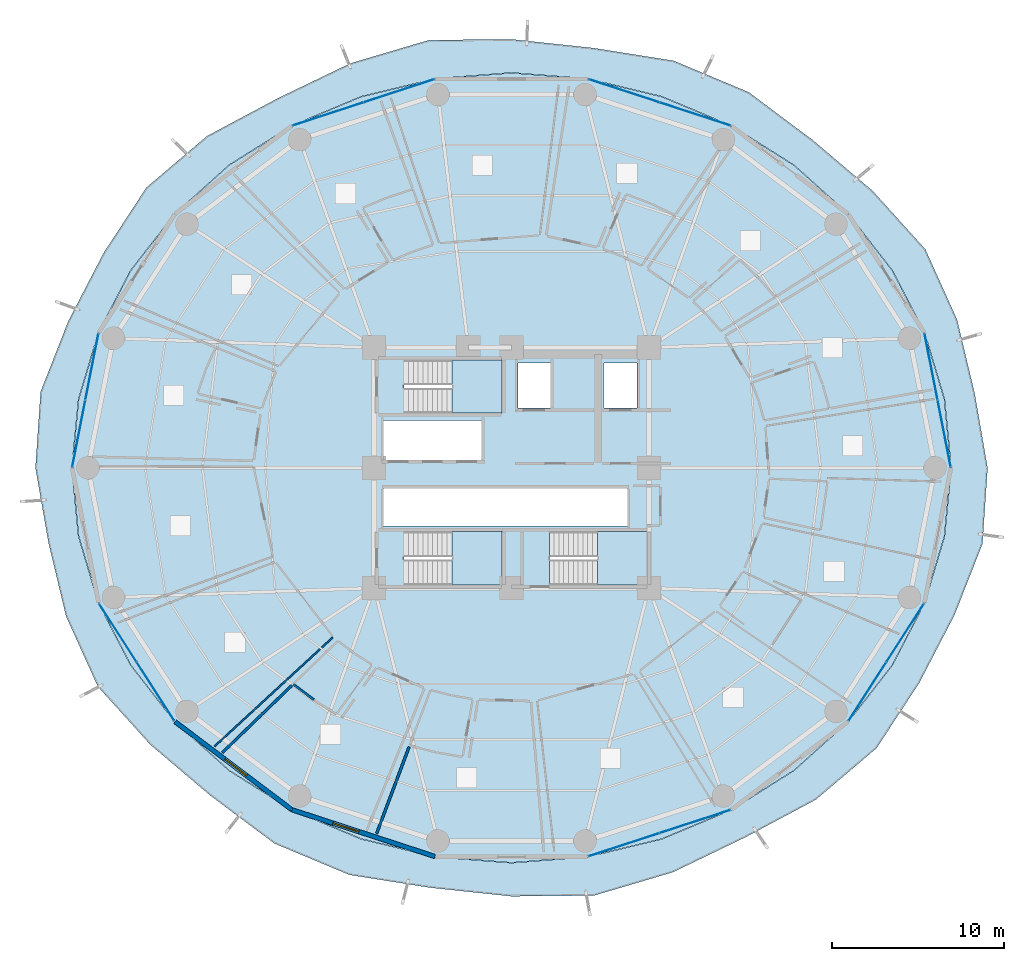
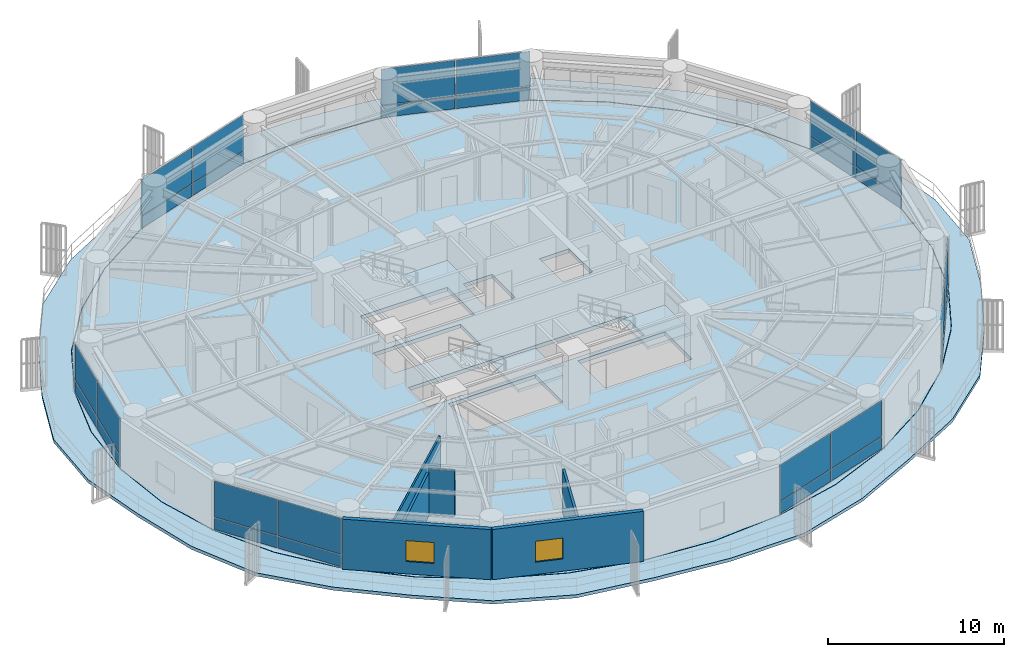
# One storey, part 25 of 34: 28 plates, 6 walls, 5 slabs, 2 windows, 2 openings, 10 elements without a shape of their own.
"""IFC4 building model written with IfcOpenShell, lengths in metres."""

from ifc_helpers import new_model, si_unit, direction, frame, frame_2d, origin, origin_2d, place, context, subcontext, project, spatial, polyline, rectangle, outline, extrude, source, transform, mapped, material, layer, layer_set, type_object, element, fill, aggregate, save


model = new_model("IFC4")

# Units and contexts
model_context = context("Model", 3, precision=1e-05, world=origin(), true_north=direction((0.0, 1.0)))
body_context = subcontext(model_context, "Body", "Model", "MODEL_VIEW")
ifc_project = project(units=[si_unit("LENGTHUNIT", "METRE"), si_unit("AREAUNIT", "SQUARE_METRE"), si_unit("VOLUMEUNIT", "CUBIC_METRE"), si_unit("PLANEANGLEUNIT", "RADIAN"), si_unit("MASSUNIT", "GRAM", prefix="KILO")], contexts=[model_context])

# Site, building, storey
site_placement = place(None, origin())
site = spatial("IfcSite", under=ifc_project, at=site_placement, CompositionType="ELEMENT")
building_placement = place(site_placement, origin())
building = spatial("IfcBuilding", under=site, at=building_placement, Name="Kelanora Arch Commons", CompositionType="ELEMENT")
storey_placement = place(building_placement, frame((0.0, 0.0, 76.35009765625)))
storey = spatial("IfcBuildingStorey", under=building, at=storey_placement, Name="L19", CompositionType="ELEMENT", Elevation=76.35009765625)

# Stair, slab
ifc_material_1 = material(Name="Concrete C40/50", Category="concrete")
stair_type = type_object("IfcStairType", Name="STR-DL-375", PredefinedType="HALF_TURN_STAIR", material=ifc_material_1)
stair_1_placement = place(storey_placement, origin())
stair_1 = element("IfcStair", 1, at=stair_1_placement, inside=storey, type_object=stair_type, Name="L19 ST-T1", PredefinedType="HALF_TURN_STAIR")
ifc_layer_1 = layer(ifc_material_1, 0.199951171875)
ifc_layer_set_1 = layer_set([ifc_layer_1], Name="Concrete C40/50")
slab_type_1 = type_object("IfcSlabType", Name="SLB-STAIR-LND", PredefinedType="LANDING", material=ifc_layer_set_1)
slab_1_placement = place(storey_placement, frame((0.0, 0.0, 1.6748046875)))
slab_1 = element("IfcSlab", 2, at=slab_1_placement, type_object=slab_type_1, Name="ST-T1 landing 1", PredefinedType="LANDING", context=body_context, shape_type="SweptSolid", body=[
    extrude(outline(polyline([(70.52001953125, 61.179931640625), (73.43994140625, 61.179931640625), (73.43994140625, 64.2900390625), (70.52001953125, 64.2900390625), (70.52001953125, 61.179931640625)])), origin(), (0.0, 0.0, 1.0), 0.2001953125),
])
aggregate(stair_1, [slab_1])

stair_2_placement = place(storey_placement, origin())
stair_2 = element("IfcStair", 3, at=stair_2_placement, inside=storey, type_object=stair_type, Name="L19 ST-T2", PredefinedType="HALF_TURN_STAIR")
slab_2_placement = place(storey_placement, frame((0.0, 0.0, 1.6748046875)))
slab_2 = element("IfcSlab", 4, at=slab_2_placement, type_object=slab_type_1, Name="ST-T2 landing 1", PredefinedType="LANDING", context=body_context, shape_type="SweptSolid", body=[
    extrude(outline(polyline([(79.0, 51.179931640625), (81.919921875, 51.179931640625), (81.919921875, 54.2900390625), (79.0, 54.2900390625), (79.0, 51.179931640625)])), origin(), (0.0, 0.0, 1.0), 0.2001953125),
])
aggregate(stair_2, [slab_2])

stair_3_placement = place(storey_placement, origin())
stair_3 = element("IfcStair", 5, at=stair_3_placement, inside=storey, type_object=stair_type, Name="L19 ST-T3", PredefinedType="HALF_TURN_STAIR")
slab_3_placement = place(storey_placement, frame((0.0, 0.0, 1.6748046875)))
slab_3 = element("IfcSlab", 6, at=slab_3_placement, type_object=slab_type_1, Name="ST-T3 landing 1", PredefinedType="LANDING", context=body_context, shape_type="SweptSolid", body=[
    extrude(outline(polyline([(70.52001953125, 51.179931640625), (73.43994140625, 51.179931640625), (73.43994140625, 54.2900390625), (70.52001953125, 54.2900390625), (70.52001953125, 51.179931640625)])), origin(), (0.0, 0.0, 1.0), 0.2001953125),
])
aggregate(stair_3, [slab_3])

# Slabs
ifc_layer_2 = layer(ifc_material_1, 0.260009765625)
ifc_layer_set_2 = layer_set([ifc_layer_2], Name="Concrete C40/50")
slab_type_2 = type_object("IfcSlabType", Name="SLB-TWR-TYP", PredefinedType="FLOOR", material=ifc_layer_set_2)
slab_4_placement = place(storey_placement, frame((0.0, 0.0, -0.260009765625)))
element("IfcSlab", 7, at=slab_4_placement, inside=storey, type_object=slab_type_2, Name="Tower Floor Slab L19", PredefinedType="FLOOR", context=body_context, shape_type="SweptSolid", body=[
    extrude(outline(polyline([(99.60009765625, 58.0), (99.211181640625, 61.993896484375), (98.05615234375, 65.866455078125), (96.17041015625, 69.5), (93.610595703125, 72.7841796875), (90.455322265625, 75.618896484375), (86.800048828125, 77.918701171875), (82.755615234375, 79.61279296875), (78.4453125, 80.650634765625), (74.0, 81.0), (69.5546875, 80.650634765625), (65.244384765625, 79.61279296875), (61.199951171875, 77.918701171875), (57.544677734375, 75.618896484375), (54.389404296875, 72.7841796875), (51.82958984375, 69.5), (49.94384765625, 65.866455078125), (48.788818359375, 61.993896484375), (48.39990234375, 58.0), (48.788818359375, 54.006103515625), (49.94384765625, 50.133544921875), (51.82958984375, 46.5), (54.389404296875, 43.2158203125), (57.544677734375, 40.381103515625), (61.199951171875, 38.081298828125), (65.244384765625, 36.38720703125), (69.5546875, 35.349365234375), (74.0, 35.0), (78.4453125, 35.349365234375), (82.755615234375, 36.38720703125), (86.800048828125, 38.081298828125), (90.455322265625, 40.381103515625), (93.610595703125, 43.2158203125), (96.17041015625, 46.5), (98.05615234375, 50.133544921875), (99.211181640625, 54.006103515625), (99.60009765625, 58.0)]), holes=[polyline([(73.431884765625, 51.18798828125), (67.72802734375, 51.18798828125), (67.72802734375, 54.281982421875), (73.431884765625, 54.281982421875), (73.431884765625, 51.18798828125)]), polyline([(76.2080078125, 51.18798828125), (76.2080078125, 54.281982421875), (81.912109375, 54.281982421875), (81.912109375, 51.18798828125), (76.2080078125, 51.18798828125)]), polyline([(66.550048828125, 54.60009765625), (66.550048828125, 56.800048828125), (80.75, 56.800048828125), (80.75, 54.60009765625), (66.550048828125, 54.60009765625)]), polyline([(66.550048828125, 58.449951171875), (66.550048828125, 60.75), (72.25, 60.75), (72.25, 58.449951171875), (66.550048828125, 58.449951171875)]), polyline([(67.72802734375, 61.18798828125), (67.72802734375, 64.281982421875), (73.431884765625, 64.281982421875), (73.431884765625, 61.18798828125), (67.72802734375, 61.18798828125)]), polyline([(74.3798828125, 61.47998046875), (74.3798828125, 64.1201171875), (76.260009765625, 64.1201171875), (76.260009765625, 61.47998046875), (74.3798828125, 61.47998046875)]), polyline([(79.3798828125, 61.47998046875), (79.3798828125, 64.1201171875), (81.320068359375, 64.1201171875), (81.320068359375, 61.47998046875), (79.3798828125, 61.47998046875)])]), origin(), (0.0, 0.0, 1.0), 0.260009765625),
])
ifc_layer_3 = layer(ifc_material_1, 0.219970703125)
ifc_layer_set_3 = layer_set([ifc_layer_3], Name="Concrete C40/50")
slab_type_3 = type_object("IfcSlabType", Name="SLB-WAVE-BAL", PredefinedType="FLOOR", material=ifc_layer_set_3)
slab_5_placement = place(storey_placement, frame((0.0, 0.0, -0.22021484375)))
element("IfcSlab", 8, at=slab_5_placement, inside=storey, type_object=slab_type_3, Name="Sinusoidal Wave Balcony Slab L19", PredefinedType="FLOOR", context=body_context, shape_type="SweptSolid", body=[
    extrude(outline(polyline([(101.735595703125, 58.0), (100.981201171875, 62.34130859375), (99.9560546875, 66.63623046875), (98.10205078125, 70.741455078125), (95.04638671875, 74.125), (91.55908203125, 77.0830078125), (87.81787109375, 79.881103515625), (83.44287109375, 81.714111328125), (78.732421875, 82.46142578125), (74.0, 82.964599609375), (69.1953125, 82.91845703125), (64.607177734375, 81.561279296875), (60.369384765625, 79.519775390625), (56.259033203125, 77.32421875), (52.73291015625, 74.3310546875), (50.240234375, 70.521484375), (48.19287109375, 66.57568359375), (46.564697265625, 62.430419921875), (46.264404296875, 58.0), (47.018798828125, 53.65869140625), (48.0439453125, 49.36376953125), (49.89794921875, 45.258544921875), (52.95361328125, 41.875), (56.44091796875, 38.9169921875), (60.18212890625, 36.118896484375), (64.55712890625, 34.285888671875), (69.267578125, 33.53857421875), (74.0, 33.035400390625), (78.8046875, 33.08154296875), (83.392822265625, 34.438720703125), (87.630615234375, 36.480224609375), (91.740966796875, 38.67578125), (95.26708984375, 41.6689453125), (97.759765625, 45.478515625), (99.80712890625, 49.42431640625), (101.435302734375, 53.569580078125), (101.735595703125, 58.0)]), holes=[polyline([(99.230712890625, 54.002685546875), (98.074951171875, 50.126708984375), (96.1875, 46.489990234375), (93.626220703125, 43.202880859375), (90.46826171875, 40.36572265625), (86.81005859375, 38.064208984375), (82.7626953125, 36.368408203125), (78.448974609375, 35.32958984375), (74.0, 34.97998046875), (69.551025390625, 35.32958984375), (65.2373046875, 36.368408203125), (61.18994140625, 38.064208984375), (57.53173828125, 40.36572265625), (54.373779296875, 43.202880859375), (51.8125, 46.489990234375), (49.925048828125, 50.126708984375), (48.769287109375, 54.002685546875), (48.3798828125, 58.0), (48.769287109375, 61.997314453125), (49.925048828125, 65.873291015625), (51.8125, 69.510009765625), (54.373779296875, 72.797119140625), (57.53173828125, 75.63427734375), (61.18994140625, 77.935791015625), (65.2373046875, 79.631591796875), (69.551025390625, 80.67041015625), (74.0, 81.02001953125), (78.448974609375, 80.67041015625), (82.7626953125, 79.631591796875), (86.81005859375, 77.935791015625), (90.46826171875, 75.63427734375), (93.626220703125, 72.797119140625), (96.1875, 69.510009765625), (98.074951171875, 65.873291015625), (99.230712890625, 61.997314453125), (99.6201171875, 58.0), (99.230712890625, 54.002685546875)])]), origin(), (0.0, 0.0, 1.0), 0.22021484375),
])

# Curtain wall, plates
ifc_material_2 = material(Name="Terracotta ceramic-fritted low-E glass and aluminium", Category="masonry")
ifc_layer_4 = layer(ifc_material_2, 0.159912109375)
ifc_layer_set_4 = layer_set([ifc_layer_4], Name="Terracotta ceramic-fritted low-E glass and aluminium")
curtain_wall_type = type_object("IfcCurtainWallType", Name="CW-SYS-01", PredefinedType="NOTDEFINED", material=ifc_layer_set_4)
curtain_wall_1_placement = place(storey_placement, origin())
curtain_wall_1 = element("IfcCurtainWall", 9, at=curtain_wall_1_placement, inside=storey, type_object=curtain_wall_type, Name="Unitised Curtain Wall L19-B00", PredefinedType="NOTDEFINED")
ifc_material_3 = material(Name="Terracotta ceramic-fritted double glazing", Category="masonry")
ifc_layer_5 = layer(ifc_material_3, 0.028076171875)
ifc_layer_set_5 = layer_set([ifc_layer_5], Name="Terracotta ceramic-fritted double glazing")
plate_type = type_object("IfcPlateType", Name="CWP-FRIT", PredefinedType="CURTAIN_PANEL", material=ifc_layer_set_5)
shared_shape_1 = source(origin(), body_context, "Body", "SweptSolid", [
    extrude(rectangle(XDim=3.9033203125, YDim=0.028076171875, at=origin_2d()), origin(), (0.0, 0.0, 1.0), 0.81005859375),
])
plate_1_placement = place(storey_placement, frame((99.209716796875, 59.98876953125, 0.059814453125), z_axis=(0.0, 0.0, 1.0), x_axis=(-0.192584916272, 0.981280311646, 0.0)))
plate_1 = element("IfcPlate", 10, at=plate_1_placement, type_object=plate_type, Name="CW-01 panel 1.1", PredefinedType="CURTAIN_PANEL", context=body_context, shape_type="MappedRepresentation", body=[
    mapped(shared_shape_1, transform((0.0, 0.0, 0.0), scale=1.0)),
])
plate_2_placement = place(storey_placement, frame((98.446533203125, 63.877685546875, 0.059814453125), z_axis=(0.0, 0.0, 1.0), x_axis=(-0.192584916272, 0.981280311646, 0.0)))
plate_2 = element("IfcPlate", 11, at=plate_2_placement, type_object=plate_type, Name="CW-01 panel 2.1", PredefinedType="CURTAIN_PANEL", context=body_context, shape_type="MappedRepresentation", body=[
    mapped(shared_shape_1, transform((0.0, 0.0, 0.0), scale=1.0)),
])

curtain_wall_2_placement = place(storey_placement, origin())
curtain_wall_2 = element("IfcCurtainWall", 12, at=curtain_wall_2_placement, inside=storey, type_object=curtain_wall_type, Name="Unitised Curtain Wall L19-B08", PredefinedType="NOTDEFINED")
plate_3_placement = place(storey_placement, frame((49.553466796875, 63.877685546875, 0.059814453125), z_axis=(0.0, 0.0, 1.0), x_axis=(-0.192584916272, -0.981280311646, 0.0)))
plate_3 = element("IfcPlate", 13, at=plate_3_placement, type_object=plate_type, Name="CW-01 panel 1.1", PredefinedType="CURTAIN_PANEL", context=body_context, shape_type="MappedRepresentation", body=[
    mapped(shared_shape_1, transform((0.0, 0.0, 0.0), scale=1.0)),
])
plate_4_placement = place(storey_placement, frame((48.790283203125, 59.98876953125, 0.059814453125), z_axis=(0.0, 0.0, 1.0), x_axis=(-0.192584916272, -0.981280311646, 0.0)))
plate_4 = element("IfcPlate", 14, at=plate_4_placement, type_object=plate_type, Name="CW-01 panel 2.1", PredefinedType="CURTAIN_PANEL", context=body_context, shape_type="MappedRepresentation", body=[
    mapped(shared_shape_1, transform((0.0, 0.0, 0.0), scale=1.0)),
])

# Plate
shared_shape_2 = source(origin(), body_context, "Body", "SweptSolid", [
    extrude(rectangle(XDim=3.9033203125, YDim=0.028076171875, at=origin_2d()), origin(), (0.0, 0.0, 1.0), 2.485107421875),
])
plate_5_placement = place(storey_placement, frame((99.209716796875, 59.98876953125, 0.9296875), z_axis=(0.0, 0.0, 1.0), x_axis=(-0.192584916272, 0.981280311646, 0.0)))
plate_5 = element("IfcPlate", 15, at=plate_5_placement, type_object=plate_type, Name="CW-01 panel 1.2", PredefinedType="CURTAIN_PANEL", context=body_context, shape_type="MappedRepresentation", body=[
    mapped(shared_shape_2, transform((0.0, 0.0, 0.0), scale=1.0)),
])

plate_6_placement = place(storey_placement, frame((98.446533203125, 63.877685546875, 0.9296875), z_axis=(0.0, 0.0, 1.0), x_axis=(-0.192584916272, 0.981280311646, 0.0)))
plate_6 = element("IfcPlate", 16, at=plate_6_placement, type_object=plate_type, Name="CW-01 panel 2.2", PredefinedType="CURTAIN_PANEL", context=body_context, shape_type="MappedRepresentation", body=[
    mapped(shared_shape_2, transform((0.0, 0.0, 0.0), scale=1.0)),
])

aggregate(curtain_wall_1, [plate_1, plate_5, plate_2, plate_6])

plate_7_placement = place(storey_placement, frame((49.553466796875, 63.877685546875, 0.9296875), z_axis=(0.0, 0.0, 1.0), x_axis=(-0.192584916272, -0.981280311646, 0.0)))
plate_7 = element("IfcPlate", 17, at=plate_7_placement, type_object=plate_type, Name="CW-01 panel 1.2", PredefinedType="CURTAIN_PANEL", context=body_context, shape_type="MappedRepresentation", body=[
    mapped(shared_shape_2, transform((0.0, 0.0, 0.0), scale=1.0)),
])

plate_8_placement = place(storey_placement, frame((48.790283203125, 59.98876953125, 0.9296875), z_axis=(0.0, 0.0, 1.0), x_axis=(-0.192584916272, -0.981280311646, 0.0)))
plate_8 = element("IfcPlate", 18, at=plate_8_placement, type_object=plate_type, Name="CW-01 panel 2.2", PredefinedType="CURTAIN_PANEL", context=body_context, shape_type="MappedRepresentation", body=[
    mapped(shared_shape_2, transform((0.0, 0.0, 0.0), scale=1.0)),
])

aggregate(curtain_wall_2, [plate_3, plate_7, plate_4, plate_8])

# Curtain wall, plates
curtain_wall_3_placement = place(storey_placement, origin())
curtain_wall_3 = element("IfcCurtainWall", 19, at=curtain_wall_3_placement, inside=storey, type_object=curtain_wall_type, Name="Unitised Curtain Wall L19-B03", PredefinedType="NOTDEFINED")
shared_shape_3 = source(origin(), body_context, "Body", "SweptSolid", [
    extrude(rectangle(XDim=4.2900390625, YDim=0.028076171875, at=origin_2d()), origin(), (0.0, 0.0, 1.0), 0.81005859375),
])
plate_9_placement = place(storey_placement, frame((84.68994140625, 78.608642578125, 0.059814453125), z_axis=(0.0, 0.0, 1.0), x_axis=(-0.950473795867, 0.31080470294, 0.0)))
plate_9 = element("IfcPlate", 20, at=plate_9_placement, type_object=plate_type, Name="CW-01 panel 1.1", PredefinedType="CURTAIN_PANEL", context=body_context, shape_type="MappedRepresentation", body=[
    mapped(shared_shape_3, transform((0.0, 0.0, 0.0), scale=1.0)),
])
plate_10_placement = place(storey_placement, frame((80.555419921875, 79.960693359375, 0.059814453125), z_axis=(0.0, 0.0, 1.0), x_axis=(-0.950473795867, 0.31080470294, 0.0)))
plate_10 = element("IfcPlate", 21, at=plate_10_placement, type_object=plate_type, Name="CW-01 panel 2.1", PredefinedType="CURTAIN_PANEL", context=body_context, shape_type="MappedRepresentation", body=[
    mapped(shared_shape_3, transform((0.0, 0.0, 0.0), scale=1.0)),
])

curtain_wall_4_placement = place(storey_placement, origin())
curtain_wall_4 = element("IfcCurtainWall", 22, at=curtain_wall_4_placement, inside=storey, type_object=curtain_wall_type, Name="Unitised Curtain Wall L19-B05", PredefinedType="NOTDEFINED")
plate_11_placement = place(storey_placement, frame((67.444580078125, 79.960693359375, 0.059814453125), z_axis=(0.0, 0.0, 1.0), x_axis=(-0.950473795867, -0.31080470294, 0.0)))
plate_11 = element("IfcPlate", 23, at=plate_11_placement, type_object=plate_type, Name="CW-01 panel 1.1", PredefinedType="CURTAIN_PANEL", context=body_context, shape_type="MappedRepresentation", body=[
    mapped(shared_shape_3, transform((0.0, 0.0, 0.0), scale=1.0)),
])
plate_12_placement = place(storey_placement, frame((63.31005859375, 78.608642578125, 0.059814453125), z_axis=(0.0, 0.0, 1.0), x_axis=(-0.950473795867, -0.31080470294, 0.0)))
plate_12 = element("IfcPlate", 24, at=plate_12_placement, type_object=plate_type, Name="CW-01 panel 2.1", PredefinedType="CURTAIN_PANEL", context=body_context, shape_type="MappedRepresentation", body=[
    mapped(shared_shape_3, transform((0.0, 0.0, 0.0), scale=1.0)),
])

curtain_wall_5_placement = place(storey_placement, origin())
curtain_wall_5 = element("IfcCurtainWall", 25, at=curtain_wall_5_placement, inside=storey, type_object=curtain_wall_type, Name="Unitised Curtain Wall L19-B14", PredefinedType="NOTDEFINED")
plate_13_placement = place(storey_placement, frame((80.555419921875, 36.039306640625, 0.059814453125), z_axis=(0.0, 0.0, 1.0), x_axis=(0.950473795867, 0.31080470294, 0.0)))
plate_13 = element("IfcPlate", 26, at=plate_13_placement, type_object=plate_type, Name="CW-01 panel 1.1", PredefinedType="CURTAIN_PANEL", context=body_context, shape_type="MappedRepresentation", body=[
    mapped(shared_shape_3, transform((0.0, 0.0, 0.0), scale=1.0)),
])
plate_14_placement = place(storey_placement, frame((84.68994140625, 37.391357421875, 0.059814453125), z_axis=(0.0, 0.0, 1.0), x_axis=(0.950473795867, 0.31080470294, 0.0)))
plate_14 = element("IfcPlate", 27, at=plate_14_placement, type_object=plate_type, Name="CW-01 panel 2.1", PredefinedType="CURTAIN_PANEL", context=body_context, shape_type="MappedRepresentation", body=[
    mapped(shared_shape_3, transform((0.0, 0.0, 0.0), scale=1.0)),
])

# Plate
shared_shape_4 = source(origin(), body_context, "Body", "SweptSolid", [
    extrude(rectangle(XDim=4.2900390625, YDim=0.028076171875, at=origin_2d()), origin(), (0.0, 0.0, 1.0), 2.485107421875),
])
plate_15_placement = place(storey_placement, frame((84.68994140625, 78.608642578125, 0.9296875), z_axis=(0.0, 0.0, 1.0), x_axis=(-0.950473795867, 0.31080470294, 0.0)))
plate_15 = element("IfcPlate", 28, at=plate_15_placement, type_object=plate_type, Name="CW-01 panel 1.2", PredefinedType="CURTAIN_PANEL", context=body_context, shape_type="MappedRepresentation", body=[
    mapped(shared_shape_4, transform((0.0, 0.0, 0.0), scale=1.0)),
])

plate_16_placement = place(storey_placement, frame((80.555419921875, 79.960693359375, 0.9296875), z_axis=(0.0, 0.0, 1.0), x_axis=(-0.950473795867, 0.31080470294, 0.0)))
plate_16 = element("IfcPlate", 29, at=plate_16_placement, type_object=plate_type, Name="CW-01 panel 2.2", PredefinedType="CURTAIN_PANEL", context=body_context, shape_type="MappedRepresentation", body=[
    mapped(shared_shape_4, transform((0.0, 0.0, 0.0), scale=1.0)),
])

aggregate(curtain_wall_3, [plate_9, plate_15, plate_10, plate_16])

plate_17_placement = place(storey_placement, frame((67.444580078125, 79.960693359375, 0.9296875), z_axis=(0.0, 0.0, 1.0), x_axis=(-0.950473795867, -0.31080470294, 0.0)))
plate_17 = element("IfcPlate", 30, at=plate_17_placement, type_object=plate_type, Name="CW-01 panel 1.2", PredefinedType="CURTAIN_PANEL", context=body_context, shape_type="MappedRepresentation", body=[
    mapped(shared_shape_4, transform((0.0, 0.0, 0.0), scale=1.0)),
])

plate_18_placement = place(storey_placement, frame((63.31005859375, 78.608642578125, 0.9296875), z_axis=(0.0, 0.0, 1.0), x_axis=(-0.950473795867, -0.31080470294, 0.0)))
plate_18 = element("IfcPlate", 31, at=plate_18_placement, type_object=plate_type, Name="CW-01 panel 2.2", PredefinedType="CURTAIN_PANEL", context=body_context, shape_type="MappedRepresentation", body=[
    mapped(shared_shape_4, transform((0.0, 0.0, 0.0), scale=1.0)),
])

aggregate(curtain_wall_4, [plate_11, plate_17, plate_12, plate_18])

plate_19_placement = place(storey_placement, frame((80.555419921875, 36.039306640625, 0.9296875), z_axis=(0.0, 0.0, 1.0), x_axis=(0.950473795867, 0.31080470294, 0.0)))
plate_19 = element("IfcPlate", 32, at=plate_19_placement, type_object=plate_type, Name="CW-01 panel 1.2", PredefinedType="CURTAIN_PANEL", context=body_context, shape_type="MappedRepresentation", body=[
    mapped(shared_shape_4, transform((0.0, 0.0, 0.0), scale=1.0)),
])

plate_20_placement = place(storey_placement, frame((84.68994140625, 37.391357421875, 0.9296875), z_axis=(0.0, 0.0, 1.0), x_axis=(0.950473795867, 0.31080470294, 0.0)))
plate_20 = element("IfcPlate", 33, at=plate_20_placement, type_object=plate_type, Name="CW-01 panel 2.2", PredefinedType="CURTAIN_PANEL", context=body_context, shape_type="MappedRepresentation", body=[
    mapped(shared_shape_4, transform((0.0, 0.0, 0.0), scale=1.0)),
])

aggregate(curtain_wall_5, [plate_13, plate_19, plate_14, plate_20])

# Curtain wall, plates
curtain_wall_6_placement = place(storey_placement, origin())
curtain_wall_6 = element("IfcCurtainWall", 34, at=curtain_wall_6_placement, inside=storey, type_object=curtain_wall_type, Name="Unitised Curtain Wall L19-B10", PredefinedType="NOTDEFINED")
shared_shape_5 = source(origin(), body_context, "Body", "SweptSolid", [
    extrude(rectangle(XDim=4.00634765625, YDim=0.028076171875, at=origin_2d()), origin(), (0.0, 0.0, 1.0), 0.81005859375),
])
plate_21_placement = place(storey_placement, frame((51.0673828125, 48.38525390625, 0.059814453125), z_axis=(0.0, 0.0, 1.0), x_axis=(0.540616931244, -0.841268883088, 0.0)))
plate_21 = element("IfcPlate", 35, at=plate_21_placement, type_object=plate_type, Name="CW-01 panel 1.1", PredefinedType="CURTAIN_PANEL", context=body_context, shape_type="MappedRepresentation", body=[
    mapped(shared_shape_5, transform((0.0, 0.0, 0.0), scale=1.0)),
])
plate_22_placement = place(storey_placement, frame((53.265869140625, 44.964111328125, 0.059814453125), z_axis=(0.0, 0.0, 1.0), x_axis=(0.540616931244, -0.841268883088, 0.0)))
plate_22 = element("IfcPlate", 36, at=plate_22_placement, type_object=plate_type, Name="CW-01 panel 2.1", PredefinedType="CURTAIN_PANEL", context=body_context, shape_type="MappedRepresentation", body=[
    mapped(shared_shape_5, transform((0.0, 0.0, 0.0), scale=1.0)),
])

curtain_wall_7_placement = place(storey_placement, origin())
curtain_wall_7 = element("IfcCurtainWall", 37, at=curtain_wall_7_placement, inside=storey, type_object=curtain_wall_type, Name="Unitised Curtain Wall L19-B16", PredefinedType="NOTDEFINED")
plate_23_placement = place(storey_placement, frame((94.734130859375, 44.964111328125, 0.059814453125), z_axis=(0.0, 0.0, 1.0), x_axis=(0.540616931244, 0.841268883088, 0.0)))
plate_23 = element("IfcPlate", 38, at=plate_23_placement, type_object=plate_type, Name="CW-01 panel 1.1", PredefinedType="CURTAIN_PANEL", context=body_context, shape_type="MappedRepresentation", body=[
    mapped(shared_shape_5, transform((0.0, 0.0, 0.0), scale=1.0)),
])
plate_24_placement = place(storey_placement, frame((96.9326171875, 48.38525390625, 0.059814453125), z_axis=(0.0, 0.0, 1.0), x_axis=(0.540616931244, 0.841268883088, 0.0)))
plate_24 = element("IfcPlate", 39, at=plate_24_placement, type_object=plate_type, Name="CW-01 panel 2.1", PredefinedType="CURTAIN_PANEL", context=body_context, shape_type="MappedRepresentation", body=[
    mapped(shared_shape_5, transform((0.0, 0.0, 0.0), scale=1.0)),
])

# Plate
shared_shape_6 = source(origin(), body_context, "Body", "SweptSolid", [
    extrude(rectangle(XDim=4.00634765625, YDim=0.028076171875, at=origin_2d()), origin(), (0.0, 0.0, 1.0), 2.485107421875),
])
plate_25_placement = place(storey_placement, frame((51.0673828125, 48.38525390625, 0.9296875), z_axis=(0.0, 0.0, 1.0), x_axis=(0.540616931244, -0.841268883088, 0.0)))
plate_25 = element("IfcPlate", 40, at=plate_25_placement, type_object=plate_type, Name="CW-01 panel 1.2", PredefinedType="CURTAIN_PANEL", context=body_context, shape_type="MappedRepresentation", body=[
    mapped(shared_shape_6, transform((0.0, 0.0, 0.0), scale=1.0)),
])

plate_26_placement = place(storey_placement, frame((53.265869140625, 44.964111328125, 0.9296875), z_axis=(0.0, 0.0, 1.0), x_axis=(0.540616931244, -0.841268883088, 0.0)))
plate_26 = element("IfcPlate", 41, at=plate_26_placement, type_object=plate_type, Name="CW-01 panel 2.2", PredefinedType="CURTAIN_PANEL", context=body_context, shape_type="MappedRepresentation", body=[
    mapped(shared_shape_6, transform((0.0, 0.0, 0.0), scale=1.0)),
])

aggregate(curtain_wall_6, [plate_21, plate_25, plate_22, plate_26])

plate_27_placement = place(storey_placement, frame((94.734130859375, 44.964111328125, 0.9296875), z_axis=(0.0, 0.0, 1.0), x_axis=(0.540616931244, 0.841268883088, 0.0)))
plate_27 = element("IfcPlate", 42, at=plate_27_placement, type_object=plate_type, Name="CW-01 panel 1.2", PredefinedType="CURTAIN_PANEL", context=body_context, shape_type="MappedRepresentation", body=[
    mapped(shared_shape_6, transform((0.0, 0.0, 0.0), scale=1.0)),
])

plate_28_placement = place(storey_placement, frame((96.9326171875, 48.38525390625, 0.9296875), z_axis=(0.0, 0.0, 1.0), x_axis=(0.540616931244, 0.841268883088, 0.0)))
plate_28 = element("IfcPlate", 43, at=plate_28_placement, type_object=plate_type, Name="CW-01 panel 2.2", PredefinedType="CURTAIN_PANEL", context=body_context, shape_type="MappedRepresentation", body=[
    mapped(shared_shape_6, transform((0.0, 0.0, 0.0), scale=1.0)),
])

aggregate(curtain_wall_7, [plate_23, plate_27, plate_24, plate_28])

# Walls
ifc_material_4 = material(Name="Autoclaved aerated concrete blockwork with fire plaster", Category="masonry")
ifc_layer_6 = layer(ifc_material_4, 0.14990234375)
ifc_layer_set_6 = layer_set([ifc_layer_6], Name="Autoclaved aerated concrete blockwork with fire plaster")
wall_type_1 = type_object("IfcWallType", Name="W-COMP-150", PredefinedType="PARTITIONING", material=ifc_layer_set_6)
wall_1_placement = place(storey_placement, frame((57.149658203125, 41.40087890625, 0.0), z_axis=(0.0, 0.0, 1.0), x_axis=(0.718527749954, 0.695498290829, 0.0)))
element("IfcWall", 44, at=wall_1_placement, inside=storey, type_object=wall_type_1, Name="Co-Living Studio L19-10 Enclosure Partition 5", PredefinedType="PARTITIONING", context=body_context, shape_type="SweptSolid", body=[
    extrude(rectangle(XDim=5.6611328125, YDim=0.14990234375, at=frame_2d((2.83056640625, 0.0))), origin(), (0.0, 0.0, 1.0), 2.974853515625),
])
wall_2_placement = place(storey_placement, frame((66.13916015625, 36.6943359375, 0.0), z_axis=(0.0, 0.0, 1.0), x_axis=(0.351589591196, 0.936154239088, 0.0)))
element("IfcWall", 45, at=wall_2_placement, inside=storey, type_object=wall_type_1, Name="Co-Living Studio L19-11 Enclosure Partition 5", PredefinedType="PARTITIONING", context=body_context, shape_type="SweptSolid", body=[
    extrude(rectangle(XDim=5.394775390625, YDim=0.14990234375, at=frame_2d((2.697265625, 0.0))), origin(), (0.0, 0.0, 1.0), 2.974853515625),
])

# Wall, opening, window
ifc_material_5 = material(Name="Precast concrete C40/50 with terracotta rainscreen", Category="masonry")
ifc_layer_7 = layer(ifc_material_5, 0.260009765625)
ifc_layer_set_7 = layer_set([ifc_layer_7], Name="Precast concrete C40/50 with terracotta rainscreen")
wall_type_2 = type_object("IfcWallType", Name="W-EXT-TC", PredefinedType="SOLIDWALL", material=ifc_layer_set_7)
wall_3_placement = place(storey_placement, frame((54.4013671875, 43.206787109375, 0.0), z_axis=(0.0, 0.0, 1.0), x_axis=(0.798501507879, -0.601992808857, 0.0)))
wall_3 = element("IfcWall", 46, at=wall_3_placement, inside=storey, type_object=wall_type_2, Name="Terracotta Exterior Wall L19-B11", PredefinedType="SOLIDWALL", context=body_context, shape_type="SweptSolid", body=[
    extrude(rectangle(XDim=8.499267578125, YDim=0.260009765625, at=frame_2d((4.24951171875, 0.0))), origin(), (0.0, 0.0, 1.0), 3.474853515625),
])
opening_1_placement = place(wall_3_placement, frame((3.6298828125, 0.0, 0.85009765625)))
opening_1 = element("IfcOpeningElement", 47, at=opening_1_placement, cuts=wall_3, Name="Opening WN-01", PredefinedType="OPENING", context=body_context, shape_type="SweptSolid", body=[
    extrude(rectangle(XDim=1.60009765625, YDim=1.449951171875, at=frame_2d((0.800048828125, 0.72509765625))), frame((0.0, 0.14013671875, 0.0), z_axis=(0.0, -1.0, 0.0), x_axis=(1.0, 0.0, 0.0)), (0.0, 0.0, 1.0), 0.280029296875),
])
ifc_material_6 = material(Name="Terracotta-anodised aluminium frame with operable low-E glazing", Category="masonry")
window_type = type_object("IfcWindowType", Name="WIN-CL-18", PartitioningType="DOUBLE_PANEL_VERTICAL", PredefinedType="WINDOW", material=ifc_material_6)
window_1_placement = place(opening_1_placement, origin())
window_1 = element("IfcWindow", 48, at=window_1_placement, inside=storey, type_object=window_type, Name="Co-Living Operable Window L19-B11", OverallHeight=1.449951171875, OverallWidth=1.60009765625, PartitioningType="SINGLE_PANEL", PredefinedType="WINDOW", context=body_context, shape_type="SweptSolid", body=[
    extrude(rectangle(XDim=1.60009765625, YDim=1.449951171875, at=frame_2d((0.800048828125, 0.72509765625))), frame((0.0, 0.030029296875, 0.0), z_axis=(0.0, -1.0, 0.0), x_axis=(1.0, 0.0, 0.0)), (0.0, 0.0, 1.0), 0.06005859375),
])
fill(opening_1, window_1)

wall_4_placement = place(storey_placement, frame((61.21435546875, 38.07666015625, 0.0), z_axis=(0.0, 0.0, 1.0), x_axis=(0.950471101963, -0.310812941064, 0.0)))
wall_4 = element("IfcWall", 49, at=wall_4_placement, inside=storey, type_object=wall_type_2, Name="Terracotta Exterior Wall L19-B12", PredefinedType="SOLIDWALL", context=body_context, shape_type="SweptSolid", body=[
    extrude(rectangle(XDim=8.759765625, YDim=0.260009765625, at=frame_2d((4.3798828125, 0.0))), origin(), (0.0, 0.0, 1.0), 3.474853515625),
])
opening_2_placement = place(wall_4_placement, frame((2.5, 0.0, 0.85009765625)))
opening_2 = element("IfcOpeningElement", 50, at=opening_2_placement, cuts=wall_4, Name="Opening WN-01", PredefinedType="OPENING", context=body_context, shape_type="SweptSolid", body=[
    extrude(rectangle(XDim=1.60009765625, YDim=1.449951171875, at=frame_2d((0.800048828125, 0.72509765625))), frame((0.0, 0.14013671875, 0.0), z_axis=(0.0, -1.0, 0.0), x_axis=(1.0, 0.0, 0.0)), (0.0, 0.0, 1.0), 0.280029296875),
])
window_2_placement = place(opening_2_placement, origin())
window_2 = element("IfcWindow", 51, at=window_2_placement, inside=storey, type_object=window_type, Name="Co-Living Operable Window L19-B12", OverallHeight=1.449951171875, OverallWidth=1.60009765625, PartitioningType="SINGLE_PANEL", PredefinedType="WINDOW", context=body_context, shape_type="SweptSolid", body=[
    extrude(rectangle(XDim=1.60009765625, YDim=1.449951171875, at=frame_2d((0.800048828125, 0.72509765625))), frame((0.0, 0.030029296875, 0.0), z_axis=(0.0, -1.0, 0.0), x_axis=(1.0, 0.0, 0.0)), (0.0, 0.0, 1.0), 0.06005859375),
])
fill(opening_2, window_2)

# Walls
ifc_material_7 = material(Name="Lightweight fire-rated acoustic stud partition")
ifc_layer_8 = layer(ifc_material_7, 0.10009765625)
ifc_layer_set_8 = layer_set([ifc_layer_8], Name="Lightweight fire-rated acoustic stud partition")
wall_type_3 = type_object("IfcWallType", Name="W-PART-100", PredefinedType="PARTITIONING", material=ifc_layer_set_8)
wall_5_placement = place(storey_placement, frame((63.586669921875, 48.118896484375, 0.0), z_axis=(0.0, 0.0, 1.0), x_axis=(-0.735387084409, -0.677647279995, 0.0)))
element("IfcWall", 52, at=wall_5_placement, inside=storey, type_object=wall_type_3, Name="Communal Dining and Social Hall L19-09 Enclosure Partition 2", PredefinedType="PARTITIONING", context=body_context, shape_type="SweptSolid", body=[
    extrude(rectangle(XDim=9.361328125, YDim=0.10009765625, at=frame_2d((4.6806640625, 0.0))), origin(), (0.0, 0.0, 1.0), 2.974853515625),
])
ifc_material_8 = material(Name="Moisture-resistant fire-rated cement-board plumbing wall")
ifc_layer_9 = layer(ifc_material_8, 0.1298828125)
ifc_layer_set_9 = layer_set([ifc_layer_9], Name="Moisture-resistant fire-rated cement-board plumbing wall")
wall_type_4 = type_object("IfcWallType", Name="W-WET-120", PredefinedType="PLUMBINGWALL", material=ifc_layer_set_9)
wall_6_placement = place(storey_placement, frame((62.47802734375, 44.488037109375, 0.0), z_axis=(0.0, 0.0, 1.0), x_axis=(-0.798935684124, 0.601416471868, 0.0)))
element("IfcWall", 53, at=wall_6_placement, inside=storey, type_object=wall_type_4, Name="En-Suite Shower WC L19-10 Enclosure Partition 5", PredefinedType="PLUMBINGWALL", context=body_context, shape_type="SweptSolid", body=[
    extrude(rectangle(XDim=1.48828125, YDim=0.1298828125, at=frame_2d((0.744140625, 0.0))), origin(), (0.0, 0.0, 1.0), 3.1748046875),
])

save(model, "model.ifc")
